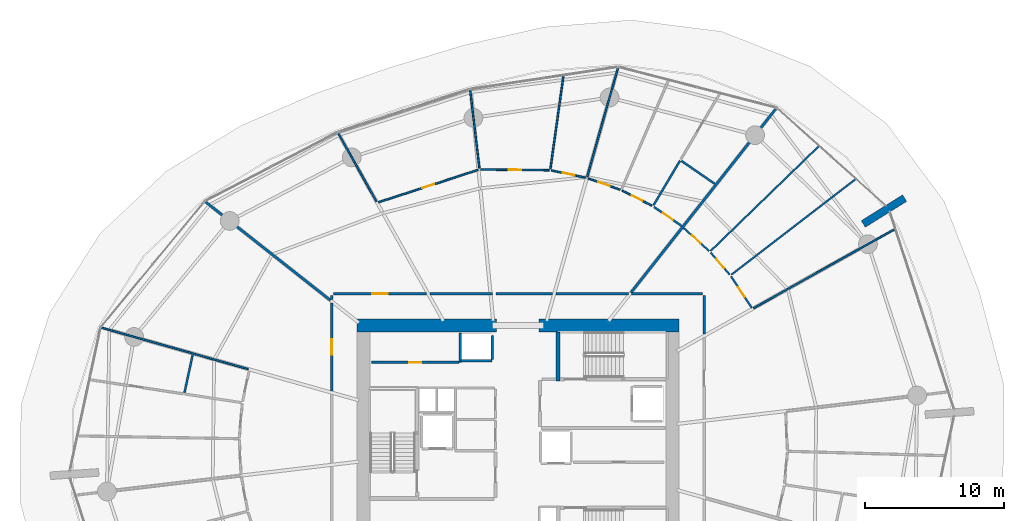
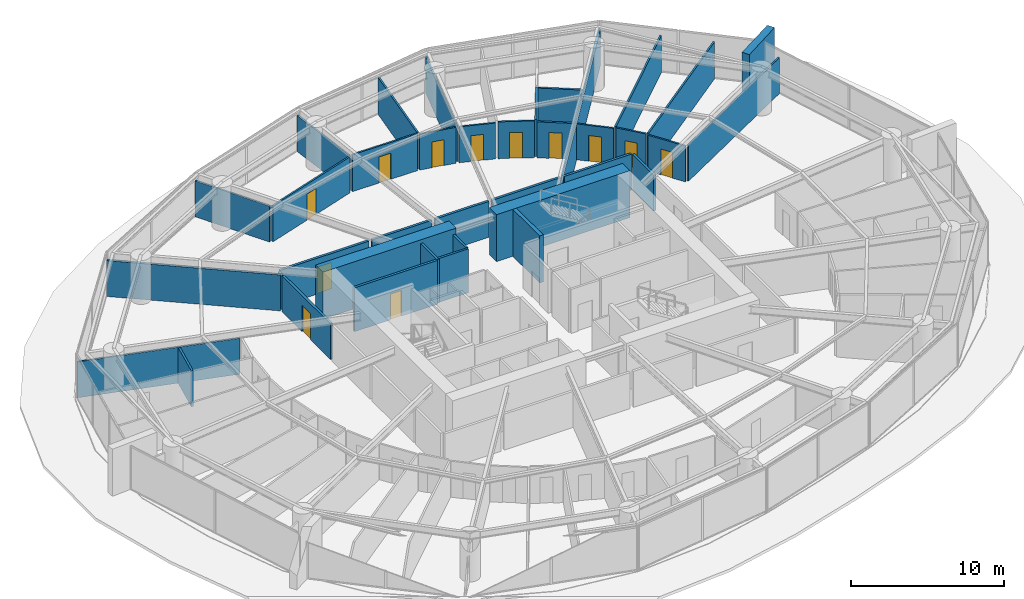
# One storey, part 20 of 22: 38 walls, 12 doors, 12 openings.
"""IFC4 building model written with IfcOpenShell, lengths in metres."""

from ifc_helpers import new_model, si_unit, direction, frame, frame_2d, origin, place, context, subcontext, project, spatial, rectangle, extrude, material, layer, layer_set, type_object, element, fill, save


model = new_model("IFC4")

# Units and contexts
model_context = context("Model", 3, precision=1e-05, world=origin(), true_north=direction((0.0, 1.0)))
body_context = subcontext(model_context, "Body", "Model", "MODEL_VIEW")
ifc_project = project(units=[si_unit("LENGTHUNIT", "METRE"), si_unit("AREAUNIT", "SQUARE_METRE"), si_unit("VOLUMEUNIT", "CUBIC_METRE"), si_unit("PLANEANGLEUNIT", "RADIAN"), si_unit("MASSUNIT", "GRAM", prefix="KILO")], contexts=[model_context])

# Site, building, storey
site_placement = place(None, origin())
site = spatial("IfcSite", under=ifc_project, at=site_placement, CompositionType="ELEMENT")
building_placement = place(site_placement, origin())
building = spatial("IfcBuilding", under=site, at=building_placement, Name="Kazma Halo Residences", CompositionType="ELEMENT")
storey_placement = place(building_placement, frame((0.0, 0.0, 26.39990234375)))
storey = spatial("IfcBuildingStorey", under=building, at=storey_placement, Name="L05", CompositionType="ELEMENT", Elevation=26.39990234375)

# Walls
ifc_material_1 = material(Name="Pale Concrete C60/75", Category="concrete")
ifc_layer_1 = layer(ifc_material_1, 0.550048828125)
ifc_layer_set_1 = layer_set([ifc_layer_1], Name="Pale Concrete C60/75")
wall_type_1 = type_object("IfcWallType", Name="WL-BLADE-550", PredefinedType="SOLIDWALL", material=ifc_layer_set_1)
wall_1_placement = place(storey_placement, frame((73.229736328125, 57.765380859375, 0.0), z_axis=(0.0, 0.0, 1.0), x_axis=(0.848053161125, 0.529911158502, 0.0)))
element("IfcWall", 1, at=wall_1_placement, inside=storey, type_object=wall_type_1, Name="L05 pale concrete structural blade fin wall BW-01", PredefinedType="SOLIDWALL", context=body_context, shape_type="SweptSolid", body=[
    extrude(rectangle(XDim=3.5, YDim=0.550048828125, at=frame_2d((1.75, 0.0))), origin(), (0.0, 0.0, 1.0), 3.75),
])
ifc_material_2 = material(Name="Concrete C80/95", Category="concrete")
ifc_layer_2 = layer(ifc_material_2, 0.949951171875)
ifc_layer_set_2 = layer_set([ifc_layer_2], Name="Concrete C80/95")
wall_type_2 = type_object("IfcWallType", Name="WL-CORE-950", PredefinedType="SHEAR", material=ifc_layer_set_2)
wall_2_placement = place(storey_placement, frame((36.85009765625, 50.47509765625, 0.0), z_axis=(0.0, 0.0, 1.0), x_axis=(1.0, 0.0, 0.0)))
element("IfcWall", 2, at=wall_2_placement, inside=storey, type_object=wall_type_2, Name="L05 central core shear wall NW", PredefinedType="SHEAR", context=body_context, shape_type="SweptSolid", body=[
    extrude(rectangle(XDim=10.0498046875, YDim=0.949951171875, at=frame_2d((5.02490234375, 0.0))), origin(), (0.0, 0.0, 1.0), 3.75),
])
wall_3_placement = place(storey_placement, frame((49.949951171875, 50.47509765625, 0.0), z_axis=(0.0, 0.0, 1.0), x_axis=(1.0, 0.0, 0.0)))
element("IfcWall", 3, at=wall_3_placement, inside=storey, type_object=wall_type_2, Name="L05 central core shear wall NE", PredefinedType="SHEAR", context=body_context, shape_type="SweptSolid", body=[
    extrude(rectangle(XDim=10.050048828125, YDim=0.949951171875, at=frame_2d((5.02490234375, 0.0))), origin(), (0.0, 0.0, 1.0), 3.75),
])
ifc_material_3 = material(Name="Concrete C60/75", Category="concrete")
ifc_layer_3 = layer(ifc_material_3, 0.280029296875)
ifc_layer_set_3 = layer_set([ifc_layer_3], Name="Concrete C60/75")
wall_type_3 = type_object("IfcWallType", Name="WL-CORE-ST-280", PredefinedType="SHEAR", material=ifc_layer_set_3)
wall_4_placement = place(storey_placement, frame((51.31005859375, 46.5, 0.0), z_axis=(0.0, 0.0, 1.0), x_axis=(0.0, 1.0, 0.0)))
element("IfcWall", 4, at=wall_4_placement, inside=storey, type_object=wall_type_3, Name="L05 stairwell bearing wall ST02-W", PredefinedType="SHEAR", context=body_context, shape_type="SweptSolid", body=[
    extrude(rectangle(XDim=3.5, YDim=0.280029296875, at=frame_2d((1.75, 0.0))), origin(), (0.0, 0.0, 1.0), 3.75),
])
ifc_material_4 = material(Name="Acoustic Twin-Stud Gypsum")
ifc_layer_4 = layer(ifc_material_4, 0.179931640625)
ifc_layer_set_4 = layer_set([ifc_layer_4], Name="Acoustic Twin-Stud Gypsum")
wall_type_4 = type_object("IfcWallType", Name="WL-DEM-180", PredefinedType="PARTITIONING", material=ifc_layer_set_4)
wall_5_placement = place(storey_placement, frame((56.542724609375, 52.83642578125, 0.0), z_axis=(0.0, 0.0, 1.0), x_axis=(0.619091569947, 0.785318806614, 0.0)))
element("IfcWall", 5, at=wall_5_placement, inside=storey, type_object=wall_type_4, Name="L05 apartment demising radial wall 01", PredefinedType="PARTITIONING", context=body_context, shape_type="SweptSolid", body=[
    extrude(rectangle(XDim=16.87548828125, YDim=0.179931640625, at=frame_2d((8.437744140625, 0.0))), origin(), (0.0, 0.0, 1.0), 2.8671875),
])
wall_6_placement = place(storey_placement, frame((34.963623046875, 52.277099609375, 0.0), z_axis=(0.0, 0.0, 1.0), x_axis=(-0.785321098315, 0.619088662908, 0.0)))
element("IfcWall", 6, at=wall_6_placement, inside=storey, type_object=wall_type_4, Name="L05 apartment demising radial wall 05", PredefinedType="PARTITIONING", context=body_context, shape_type="SweptSolid", body=[
    extrude(rectangle(XDim=11.4716796875, YDim=0.179931640625, at=frame_2d((5.73583984375, 0.0))), origin(), (0.0, 0.0, 1.0), 2.8671875),
])

# Wall, opening, door
wall_7_placement = place(storey_placement, frame((41.859619140625, 52.75, 0.0), z_axis=(0.0, 0.0, 1.0), x_axis=(-1.0, 0.0, 0.0)))
wall_7 = element("IfcWall", 7, at=wall_7_placement, inside=storey, type_object=wall_type_4, Name="L05 Apartment 1 entrance corridor wall", PredefinedType="PARTITIONING", context=body_context, shape_type="SweptSolid", body=[
    extrude(rectangle(XDim=6.689697265625, YDim=0.179931640625, at=frame_2d((3.3447265625, 0.0))), origin(), (0.0, 0.0, 1.0), 2.8671875),
])
opening_1_placement = place(wall_7_placement, frame((2.794921875, 0.0, 0.0)))
opening_1 = element("IfcOpeningElement", 8, at=opening_1_placement, cuts=wall_7, Name="Opening DA-1100", PredefinedType="OPENING", context=body_context, shape_type="SweptSolid", body=[
    extrude(rectangle(XDim=1.10009765625, YDim=2.10009765625, at=frame_2d((0.550048828125, 1.050048828125))), frame((0.0, 0.099853515625, 0.0), z_axis=(0.0, -1.0, 0.0), x_axis=(1.0, 0.0, 0.0)), (0.0, 0.0, 1.0), 0.199951171875),
])
ifc_material_5 = material(Name="Acoustic Walnut Fire Leaf")
door_type_1 = type_object("IfcDoorType", Name="DR-FD60-1100", OperationType="NOTDEFINED", PredefinedType="DOOR", material=ifc_material_5)
door_1_placement = place(opening_1_placement, origin())
door_1 = element("IfcDoor", 9, at=door_1_placement, inside=storey, type_object=door_type_1, Name="L05 Apartment 1 entrance fire door", OperationType="SINGLE_SWING_LEFT", OverallHeight=2.10009765625, OverallWidth=1.10009765625, PredefinedType="DOOR", context=body_context, shape_type="SweptSolid", body=[
    extrude(rectangle(XDim=1.10009765625, YDim=2.10009765625, at=frame_2d((0.550048828125, 1.050048828125))), frame((0.0, 0.02490234375, 0.0), z_axis=(0.0, -1.0, 0.0), x_axis=(1.0, 0.0, 0.0)), (0.0, 0.0, 1.0), 0.050048828125),
])
fill(opening_1, door_1)

# Walls
wall_8_placement = place(storey_placement, frame((35.050048828125, 52.6298828125, 0.0), z_axis=(0.0, 0.0, 1.0), x_axis=(0.0, -1.0, 0.0)))
element("IfcWall", 10, at=wall_8_placement, inside=storey, type_object=wall_type_4, Name="L05 Apartment 1 entrance corridor wall", PredefinedType="PARTITIONING", context=body_context, shape_type="SweptSolid", body=[
    extrude(rectangle(XDim=0.30078125, YDim=0.179931640625, at=frame_2d((0.150390625, 0.0))), origin(), (0.0, 0.0, 1.0), 2.8671875),
])
wall_9_placement = place(storey_placement, frame((56.3544921875, 52.75, 0.0), z_axis=(0.0, 0.0, 1.0), x_axis=(-1.0, 0.0, 0.0)))
element("IfcWall", 11, at=wall_9_placement, inside=storey, type_object=wall_type_4, Name="L05 Apartment 1 inner wall 1", PredefinedType="PARTITIONING", context=body_context, shape_type="SweptSolid", body=[
    extrude(rectangle(XDim=5.20263671875, YDim=0.179931640625, at=frame_2d((2.601318359375, 0.0))), origin(), (0.0, 0.0, 1.0), 2.8671875),
])
wall_10_placement = place(storey_placement, frame((50.911865234375, 52.75, 0.0), z_axis=(0.0, 0.0, 1.0), x_axis=(-1.0, 0.0, 0.0)))
element("IfcWall", 12, at=wall_10_placement, inside=storey, type_object=wall_type_4, Name="L05 Apartment 1 inner wall 2", PredefinedType="PARTITIONING", context=body_context, shape_type="SweptSolid", body=[
    extrude(rectangle(XDim=4.064208984375, YDim=0.179931640625, at=frame_2d((2.0322265625, 0.0))), origin(), (0.0, 0.0, 1.0), 2.8671875),
])
wall_11_placement = place(storey_placement, frame((46.607666015625, 52.75, 0.0), z_axis=(0.0, 0.0, 1.0), x_axis=(-1.0, 0.0, 0.0)))
element("IfcWall", 13, at=wall_11_placement, inside=storey, type_object=wall_type_4, Name="L05 Apartment 1 inner wall 3", PredefinedType="PARTITIONING", context=body_context, shape_type="SweptSolid", body=[
    extrude(rectangle(XDim=4.508056640625, YDim=0.179931640625, at=frame_2d((2.25390625, 0.0))), origin(), (0.0, 0.0, 1.0), 2.8671875),
])

# Wall, opening, door
wall_12_placement = place(storey_placement, frame((35.050048828125, 52.089111328125, 0.0), z_axis=(0.0, 0.0, 1.0), x_axis=(0.0, -1.0, 0.0)))
wall_12 = element("IfcWall", 14, at=wall_12_placement, inside=storey, type_object=wall_type_4, Name="L05 Apartment 2 entrance corridor wall", PredefinedType="PARTITIONING", context=body_context, shape_type="SweptSolid", body=[
    extrude(rectangle(XDim=6.31689453125, YDim=0.179931640625, at=frame_2d((3.158447265625, 0.0))), origin(), (0.0, 0.0, 1.0), 2.8671875),
])
opening_2_placement = place(wall_12_placement, frame((2.6083984375, 0.0, 0.0)))
opening_2 = element("IfcOpeningElement", 15, at=opening_2_placement, cuts=wall_12, Name="Opening DA-1100", PredefinedType="OPENING", context=body_context, shape_type="SweptSolid", body=[
    extrude(rectangle(XDim=1.10009765625, YDim=2.10009765625, at=frame_2d((0.550048828125, 1.050048828125))), frame((0.0, 0.099853515625, 0.0), z_axis=(0.0, -1.0, 0.0), x_axis=(1.0, 0.0, 0.0)), (0.0, 0.0, 1.0), 0.199951171875),
])
door_2_placement = place(opening_2_placement, origin())
door_2 = element("IfcDoor", 16, at=door_2_placement, inside=storey, type_object=door_type_1, Name="L05 Apartment 2 entrance fire door", OperationType="SINGLE_SWING_RIGHT", OverallHeight=2.10009765625, OverallWidth=1.10009765625, PredefinedType="DOOR", context=body_context, shape_type="SweptSolid", body=[
    extrude(rectangle(XDim=1.10009765625, YDim=2.10009765625, at=frame_2d((0.550048828125, 1.050048828125))), frame((0.0, 0.02490234375, 0.0), z_axis=(0.0, -1.0, 0.0), x_axis=(1.0, 0.0, 0.0)), (0.0, 0.0, 1.0), 0.050048828125),
])
fill(opening_2, door_2)

# Walls
wall_13_placement = place(storey_placement, frame((61.800048828125, 49.848388671875, 0.0), z_axis=(0.0, 0.0, 1.0), x_axis=(0.0, 1.0, 0.0)))
element("IfcWall", 17, at=wall_13_placement, inside=storey, type_object=wall_type_4, Name="L05 Apartment 4 inner wall 0", PredefinedType="PARTITIONING", context=body_context, shape_type="SweptSolid", body=[
    extrude(rectangle(XDim=2.781494140625, YDim=0.179931640625, at=frame_2d((1.390625, 0.0))), origin(), (0.0, 0.0, 1.0), 2.8671875),
])
wall_14_placement = place(storey_placement, frame((61.679931640625, 52.75, 0.0), z_axis=(0.0, 0.0, 1.0), x_axis=(-1.0, 0.0, 0.0)))
element("IfcWall", 18, at=wall_14_placement, inside=storey, type_object=wall_type_4, Name="L05 Apartment 4 inner wall 0", PredefinedType="PARTITIONING", context=body_context, shape_type="SweptSolid", body=[
    extrude(rectangle(XDim=5.08544921875, YDim=0.179931640625, at=frame_2d((2.542724609375, 0.0))), origin(), (0.0, 0.0, 1.0), 2.8671875),
])
ifc_material_6 = material(Name="Fire-Rated Blockwork Masonry", Category="masonry")
ifc_layer_5 = layer(ifc_material_6, 0.199951171875)
ifc_layer_set_5 = layer_set([ifc_layer_5], Name="Fire-Rated Blockwork Masonry")
wall_type_5 = type_object("IfcWallType", Name="WL-FLB-200", PredefinedType="PARTITIONING", material=ifc_layer_set_5)
wall_15_placement = place(storey_placement, frame((46.580078125, 47.945068359375, 0.0), z_axis=(0.0, 0.0, 1.0), x_axis=(-1.0, 0.0, 0.0)))
element("IfcWall", 19, at=wall_15_placement, inside=storey, type_object=wall_type_5, Name="L05 lift shaft PX-01 front wall", PredefinedType="PARTITIONING", context=body_context, shape_type="SweptSolid", body=[
    extrude(rectangle(XDim=2.260009765625, YDim=0.159912109375, at=frame_2d((1.1298828125, 0.0))), origin(), (0.0, 0.0, 1.0), 3.5),
])
wall_16_placement = place(storey_placement, frame((46.580078125, 48.044921875, 0.0), z_axis=(0.0, 0.0, 1.0), x_axis=(0.0, 1.0, 0.0)))
element("IfcWall", 20, at=wall_16_placement, inside=storey, type_object=wall_type_5, Name="L05 lift shaft PX-01 side wall E", PredefinedType="PARTITIONING", context=body_context, shape_type="SweptSolid", body=[
    extrude(rectangle(XDim=1.7099609375, YDim=0.159912109375, at=frame_2d((0.85498046875, 0.0))), origin(), (0.0, 0.0, 1.0), 3.5),
])

# Wall, opening, door
wall_17_placement = place(storey_placement, frame((37.919921875, 47.820068359375, 0.0), z_axis=(0.0, 0.0, 1.0), x_axis=(1.0, 0.0, 0.0)))
wall_17 = element("IfcWall", 21, at=wall_17_placement, inside=storey, type_object=wall_type_5, Name="L05 core north reserve wall", PredefinedType="PARTITIONING", context=body_context, shape_type="SweptSolid", body=[
    extrude(rectangle(XDim=6.260009765625, YDim=0.179931640625, at=frame_2d((3.1298828125, 0.0))), origin(), (0.0, 0.0, 1.0), 3.5),
])
opening_3_placement = place(wall_17_placement, frame((2.705078125, 0.0, 0.0)))
opening_3 = element("IfcOpeningElement", 22, at=opening_3_placement, cuts=wall_17, Name="Opening DS-850", PredefinedType="OPENING", context=body_context, shape_type="SweptSolid", body=[
    extrude(rectangle(XDim=0.85009765625, YDim=2.06005859375, at=frame_2d((0.425048828125, 1.030029296875))), frame((0.0, 0.099853515625, 0.0), z_axis=(0.0, -1.0, 0.0), x_axis=(1.0, 0.0, 0.0)), (0.0, 0.0, 1.0), 0.199951171875),
])
ifc_material_7 = material(Name="Painted Steel Access Leaf", Category="steel")
door_type_2 = type_object("IfcDoorType", Name="DR-SVC-850", OperationType="NOTDEFINED", PredefinedType="DOOR", material=ifc_material_7)
door_3_placement = place(opening_3_placement, origin())
door_3 = element("IfcDoor", 23, at=door_3_placement, inside=storey, type_object=door_type_2, Name="L05 core north reserve door", OperationType="SINGLE_SWING_LEFT", OverallHeight=2.06005859375, OverallWidth=0.85009765625, PredefinedType="DOOR", context=body_context, shape_type="SweptSolid", body=[
    extrude(rectangle(XDim=0.85009765625, YDim=2.06005859375, at=frame_2d((0.425048828125, 1.030029296875))), frame((0.0, 0.02490234375, 0.0), z_axis=(0.0, -1.0, 0.0), x_axis=(1.0, 0.0, 0.0)), (0.0, 0.0, 1.0), 0.050048828125),
])
fill(opening_3, door_3)

# Wall
wall_18_placement = place(storey_placement, frame((44.280029296875, 47.820068359375, 0.0), z_axis=(0.0, 0.0, 1.0), x_axis=(0.0, 1.0, 0.0)))
element("IfcWall", 24, at=wall_18_placement, inside=storey, type_object=wall_type_5, Name="L05 PX-01 hoistway west wall", PredefinedType="PARTITIONING", context=body_context, shape_type="SweptSolid", body=[
    extrude(rectangle(XDim=2.1298828125, YDim=0.179931640625, at=frame_2d((1.06494140625, 0.0))), origin(), (0.0, 0.0, 1.0), 3.5),
])

# Wall, opening, door
ifc_material_8 = material(Name="Gypsum Plasterboard Partition")
ifc_layer_6 = layer(ifc_material_8, 0.125)
ifc_layer_set_6 = layer_set([ifc_layer_6], Name="Gypsum Plasterboard Partition")
wall_type_6 = type_object("IfcWallType", Name="WL-PART-125", PredefinedType="PARTITIONING", material=ifc_layer_set_6)
wall_19_placement = place(storey_placement, frame((58.04248046875, 59.0810546875, 0.0), z_axis=(0.0, 0.0, 1.0), x_axis=(-0.890948282324, 0.454104787712, 0.0)))
wall_19 = element("IfcWall", 25, at=wall_19_placement, inside=storey, type_object=wall_type_6, Name="L05 Apartment 1 Gourmet Kitchen hall wall", PredefinedType="PARTITIONING", context=body_context, shape_type="SweptSolid", body=[
    extrude(rectangle(XDim=2.390380859375, YDim=0.125, at=frame_2d((1.1953125, 0.0))), origin(), (0.0, 0.0, 1.0), 2.940185546875),
])
opening_4_placement = place(wall_19_placement, frame((0.77001953125, 0.0, 0.0)))
opening_4 = element("IfcOpeningElement", 26, at=opening_4_placement, cuts=wall_19, Name="Opening DB-900", PredefinedType="OPENING", context=body_context, shape_type="SweptSolid", body=[
    extrude(rectangle(XDim=0.85009765625, YDim=2.06005859375, at=frame_2d((0.425048828125, 1.030029296875))), frame((0.0, 0.072509765625, 0.0), z_axis=(0.0, -1.0, 0.0), x_axis=(1.0, 0.0, 0.0)), (0.0, 0.0, 1.0), 0.14501953125),
])
ifc_material_9 = material(Name="Moisture-Sealed Timber Leaf", Category="wood")
door_type_3 = type_object("IfcDoorType", Name="DR-BTH-900", OperationType="NOTDEFINED", PredefinedType="DOOR", material=ifc_material_9)
door_4_placement = place(opening_4_placement, origin())
door_4 = element("IfcDoor", 27, at=door_4_placement, inside=storey, type_object=door_type_3, Name="L05 Apartment 1 Gourmet Kitchen door", OperationType="SINGLE_SWING_LEFT", OverallHeight=2.06005859375, OverallWidth=0.85009765625, PredefinedType="DOOR", context=body_context, shape_type="SweptSolid", body=[
    extrude(rectangle(XDim=0.85009765625, YDim=2.06005859375, at=frame_2d((0.425048828125, 1.030029296875))), frame((0.0, 0.02490234375, 0.0), z_axis=(0.0, -1.0, 0.0), x_axis=(1.0, 0.0, 0.0)), (0.0, 0.0, 1.0), 0.050048828125),
])
fill(opening_4, door_4)

wall_20_placement = place(storey_placement, frame((55.76611328125, 60.2294921875, 0.0), z_axis=(0.0, 0.0, 1.0), x_axis=(-0.942466522186, 0.334300545258, 0.0)))
wall_20 = element("IfcWall", 28, at=wall_20_placement, inside=storey, type_object=wall_type_6, Name="L05 Apartment 1 Primary Bedroom hall wall", PredefinedType="PARTITIONING", context=body_context, shape_type="SweptSolid", body=[
    extrude(rectangle(XDim=2.431884765625, YDim=0.125, at=frame_2d((1.2158203125, 0.0))), origin(), (0.0, 0.0, 1.0), 2.8671875),
])
opening_5_placement = place(wall_20_placement, frame((0.791015625, 0.0, 0.0)))
opening_5 = element("IfcOpeningElement", 29, at=opening_5_placement, cuts=wall_20, Name="Opening DB-900", PredefinedType="OPENING", context=body_context, shape_type="SweptSolid", body=[
    extrude(rectangle(XDim=0.85009765625, YDim=2.06005859375, at=frame_2d((0.425048828125, 1.030029296875))), frame((0.0, 0.072509765625, 0.0), z_axis=(0.0, -1.0, 0.0), x_axis=(1.0, 0.0, 0.0)), (0.0, 0.0, 1.0), 0.14501953125),
])
door_5_placement = place(opening_5_placement, origin())
door_5 = element("IfcDoor", 30, at=door_5_placement, inside=storey, type_object=door_type_3, Name="L05 Apartment 1 Primary Bedroom door", OperationType="SINGLE_SWING_RIGHT", OverallHeight=2.06005859375, OverallWidth=0.85009765625, PredefinedType="DOOR", context=body_context, shape_type="SweptSolid", body=[
    extrude(rectangle(XDim=0.85009765625, YDim=2.06005859375, at=frame_2d((0.425048828125, 1.030029296875))), frame((0.0, 0.02490234375, 0.0), z_axis=(0.0, -1.0, 0.0), x_axis=(1.0, 0.0, 0.0)), (0.0, 0.0, 1.0), 0.050048828125),
])
fill(opening_5, door_5)

# Walls
wall_21_placement = place(storey_placement, frame((53.406982421875, 61.172119140625, 0.0), z_axis=(0.0, 0.0, 1.0), x_axis=(0.271452340491, 0.962451882871, 0.0)))
element("IfcWall", 31, at=wall_21_placement, inside=storey, type_object=wall_type_6, Name="L05 Apartment 1 radial partition 2", PredefinedType="PARTITIONING", context=body_context, shape_type="SweptSolid", body=[
    extrude(rectangle(XDim=8.152099609375, YDim=0.125, at=frame_2d((4.076171875, 0.0))), origin(), (0.0, 0.0, 1.0), 2.8671875),
])
wall_22_placement = place(storey_placement, frame((50.7587890625, 61.718017578125, 0.0), z_axis=(0.0, 0.0, 1.0), x_axis=(0.138600482332, 0.990348376228, 0.0)))
element("IfcWall", 32, at=wall_22_placement, inside=storey, type_object=wall_type_6, Name="L05 Apartment 1 mid-bay wall 2", PredefinedType="PARTITIONING", context=body_context, shape_type="SweptSolid", body=[
    extrude(rectangle(XDim=6.774658203125, YDim=0.125, at=frame_2d((3.38720703125, 0.0))), origin(), (0.0, 0.0, 1.0), 2.940185546875),
])

# Wall, opening, door
wall_23_placement = place(storey_placement, frame((53.281982421875, 61.096435546875, 0.0), z_axis=(0.0, 0.0, 1.0), x_axis=(-0.978666206656, 0.205456700911, 0.0)))
wall_23 = element("IfcWall", 33, at=wall_23_placement, inside=storey, type_object=wall_type_6, Name="L05 Apartment 1 Primary Dressing Wardrobe hall wall", PredefinedType="PARTITIONING", context=body_context, shape_type="SweptSolid", body=[
    extrude(rectangle(XDim=2.5107421875, YDim=0.125, at=frame_2d((1.25537109375, 0.0))), origin(), (0.0, 0.0, 1.0), 2.8671875),
])
opening_6_placement = place(wall_23_placement, frame((0.830322265625, 0.0, 0.0)))
opening_6 = element("IfcOpeningElement", 34, at=opening_6_placement, cuts=wall_23, Name="Opening DB-900", PredefinedType="OPENING", context=body_context, shape_type="SweptSolid", body=[
    extrude(rectangle(XDim=0.85009765625, YDim=2.06005859375, at=frame_2d((0.425048828125, 1.030029296875))), frame((0.0, 0.072509765625, 0.0), z_axis=(0.0, -1.0, 0.0), x_axis=(1.0, 0.0, 0.0)), (0.0, 0.0, 1.0), 0.14501953125),
])
door_6_placement = place(opening_6_placement, origin())
door_6 = element("IfcDoor", 35, at=door_6_placement, inside=storey, type_object=door_type_3, Name="L05 Apartment 1 Primary Dressing Wardrobe door", OperationType="SINGLE_SWING_RIGHT", OverallHeight=2.06005859375, OverallWidth=0.85009765625, PredefinedType="DOOR", context=body_context, shape_type="SweptSolid", body=[
    extrude(rectangle(XDim=0.85009765625, YDim=2.06005859375, at=frame_2d((0.425048828125, 1.030029296875))), frame((0.0, 0.02490234375, 0.0), z_axis=(0.0, -1.0, 0.0), x_axis=(1.0, 0.0, 0.0)), (0.0, 0.0, 1.0), 0.050048828125),
])
fill(opening_6, door_6)

wall_24_placement = place(storey_placement, frame((50.66650390625, 61.629638671875, 0.0), z_axis=(0.0, 0.0, 1.0), x_axis=(-0.999944126831, 0.010570866405, 0.0)))
wall_24 = element("IfcWall", 36, at=wall_24_placement, inside=storey, type_object=wall_type_6, Name="L05 Apartment 1 Secondary Master Bedroom hall wall", PredefinedType="PARTITIONING", context=body_context, shape_type="SweptSolid", body=[
    extrude(rectangle(XDim=4.896240234375, YDim=0.125, at=frame_2d((2.4482421875, 0.0))), origin(), (0.0, 0.0, 1.0), 2.940185546875),
])
opening_7_placement = place(wall_24_placement, frame((1.998046875, 0.0, 0.0)))
opening_7 = element("IfcOpeningElement", 37, at=opening_7_placement, cuts=wall_24, Name="Opening DI-950", PredefinedType="OPENING", context=body_context, shape_type="SweptSolid", body=[
    extrude(rectangle(XDim=0.89990234375, YDim=2.080078125, at=frame_2d((0.449951171875, 1.0400390625))), frame((0.0, 0.072509765625, 0.0), z_axis=(0.0, -1.0, 0.0), x_axis=(1.0, 0.0, 0.0)), (0.0, 0.0, 1.0), 0.14501953125),
])
ifc_material_10 = material(Name="Timber Veneer Flush Leaf", Category="wood")
door_type_4 = type_object("IfcDoorType", Name="DR-INT-950", OperationType="NOTDEFINED", PredefinedType="DOOR", material=ifc_material_10)
door_7_placement = place(opening_7_placement, origin())
door_7 = element("IfcDoor", 38, at=door_7_placement, inside=storey, type_object=door_type_4, Name="L05 Apartment 1 Secondary Master Bedroom door", OperationType="SINGLE_SWING_LEFT", OverallHeight=2.080078125, OverallWidth=0.89990234375, PredefinedType="DOOR", context=body_context, shape_type="SweptSolid", body=[
    extrude(rectangle(XDim=0.89990234375, YDim=2.080078125, at=frame_2d((0.449951171875, 1.0400390625))), frame((0.0, 0.02490234375, 0.0), z_axis=(0.0, -1.0, 0.0), x_axis=(1.0, 0.0, 0.0)), (0.0, 0.0, 1.0), 0.050048828125),
])
fill(opening_7, door_7)

# Walls
for number, where, z_axis, x_axis, name in (
    (39, (45.65869140625, 61.781982421875, 0.0), (0.0, 0.0, 1.0), (-0.117520082425, 0.993070506171, 0.0), "L05 Apartment 1 radial partition 3"),
    (40, (38.2666015625, 59.380126953125, 0.0), (0.0, 0.0, 1.0), (-0.488620397155, 0.872496479927, 0.0), "L05 Apartment 1 living radial partition 3"),
):
    element("IfcWall", number, at=place(storey_placement, frame(where, z_axis=z_axis, x_axis=x_axis)), inside=storey, type_object=wall_type_6, Name=name, PredefinedType="PARTITIONING", context=body_context, shape_type="SweptSolid", body=[
        extrude(rectangle(XDim=5.675537109375, YDim=0.125, at=frame_2d((2.837890625, 0.0))), origin(), (0.0, 0.0, 1.0), 2.8671875),
    ])

# Wall, opening, door
wall_25_placement = place(storey_placement, frame((45.56591796875, 61.648681640625, 0.0), z_axis=(0.0, 0.0, 1.0), x_axis=(-0.951057228592, -0.309014802142, 0.0)))
wall_25 = element("IfcWall", 41, at=wall_25_placement, inside=storey, type_object=wall_type_6, Name="L05 Apartment 1 East Formal Dining Room gallery wall", PredefinedType="PARTITIONING", context=body_context, shape_type="SweptSolid", body=[
    extrude(rectangle(XDim=7.513427734375, YDim=0.125, at=frame_2d((3.7568359375, 0.0))), origin(), (0.0, 0.0, 1.0), 2.8671875),
])
opening_8_placement = place(wall_25_placement, frame((3.306640625, 0.0, 0.0)))
opening_8 = element("IfcOpeningElement", 42, at=opening_8_placement, cuts=wall_25, Name="Opening DI-950", PredefinedType="OPENING", context=body_context, shape_type="SweptSolid", body=[
    extrude(rectangle(XDim=0.89990234375, YDim=2.080078125, at=frame_2d((0.449951171875, 1.0400390625))), frame((0.0, 0.072509765625, 0.0), z_axis=(0.0, -1.0, 0.0), x_axis=(1.0, 0.0, 0.0)), (0.0, 0.0, 1.0), 0.14501953125),
])
door_8_placement = place(opening_8_placement, origin())
door_8 = element("IfcDoor", 43, at=door_8_placement, inside=storey, type_object=door_type_4, Name="L05 Apartment 1 East Formal Dining Room door", OperationType="SINGLE_SWING_LEFT", OverallHeight=2.080078125, OverallWidth=0.89990234375, PredefinedType="DOOR", context=body_context, shape_type="SweptSolid", body=[
    extrude(rectangle(XDim=0.89990234375, YDim=2.080078125, at=frame_2d((0.449951171875, 1.0400390625))), frame((0.0, 0.02490234375, 0.0), z_axis=(0.0, -1.0, 0.0), x_axis=(1.0, 0.0, 0.0)), (0.0, 0.0, 1.0), 0.050048828125),
])
fill(opening_8, door_8)

# Walls
wall_26_placement = place(storey_placement, frame((29.04931640625, 47.344482421875, 0.0), z_axis=(0.0, 0.0, 1.0), x_axis=(-0.962453547169, 0.271446439544, 0.0)))
element("IfcWall", 44, at=wall_26_placement, inside=storey, type_object=wall_type_6, Name="L05 Apartment 2 radial partition 6", PredefinedType="PARTITIONING", context=body_context, shape_type="SweptSolid", body=[
    extrude(rectangle(XDim=10.984375, YDim=0.125, at=frame_2d((5.4921875, 0.0))), origin(), (0.0, 0.0, 1.0), 2.8671875),
])
wall_27_placement = place(storey_placement, frame((65.3564453125, 51.72021484375, 0.0), z_axis=(0.0, 0.0, 1.0), x_axis=(0.872502798549, 0.488609114246, 0.0)))
element("IfcWall", 45, at=wall_27_placement, inside=storey, type_object=wall_type_6, Name="L05 Apartment 4 radial partition 0", PredefinedType="PARTITIONING", context=body_context, shape_type="SweptSolid", body=[
    extrude(rectangle(XDim=11.645751953125, YDim=0.125, at=frame_2d((5.82275390625, 0.0))), origin(), (0.0, 0.0, 1.0), 2.8671875),
])
wall_28_placement = place(storey_placement, frame((63.75830078125, 54.124755859375, 0.0), z_axis=(0.0, 0.0, 1.0), x_axis=(0.792564305335, 0.609788341893, 0.0)))
element("IfcWall", 46, at=wall_28_placement, inside=storey, type_object=wall_type_6, Name="L05 Apartment 4 bay wall 1 0", PredefinedType="PARTITIONING", context=body_context, shape_type="SweptSolid", body=[
    extrude(rectangle(XDim=11.253662109375, YDim=0.125, at=frame_2d((5.626953125, 0.0))), origin(), (0.0, 0.0, 1.0), 2.940185546875),
])
wall_29_placement = place(storey_placement, frame((62.278564453125, 55.8369140625, 0.0), z_axis=(0.0, 0.0, 1.0), x_axis=(0.718126223804, 0.695912872912, 0.0)))
element("IfcWall", 47, at=wall_29_placement, inside=storey, type_object=wall_type_6, Name="L05 Apartment 4 bay wall 2 0", PredefinedType="PARTITIONING", context=body_context, shape_type="SweptSolid", body=[
    extrude(rectangle(XDim=10.803955078125, YDim=0.125, at=frame_2d((5.40185546875, 0.0))), origin(), (0.0, 0.0, 1.0), 2.940185546875),
])

# Wall, opening, door
wall_30_placement = place(storey_placement, frame((65.22509765625, 51.738037109375, 0.0), z_axis=(0.0, 0.0, 1.0), x_axis=(-0.550602750552, 0.83476739939, 0.0)))
wall_30 = element("IfcWall", 48, at=wall_30_placement, inside=storey, type_object=wall_type_6, Name="L05 Apartment 4 East Master Bedroom hall wall", PredefinedType="PARTITIONING", context=body_context, shape_type="SweptSolid", body=[
    extrude(rectangle(XDim=2.713134765625, YDim=0.125, at=frame_2d((1.3564453125, 0.0))), origin(), (0.0, 0.0, 1.0), 2.8671875),
])
opening_9_placement = place(wall_30_placement, frame((0.931640625, 0.0, 0.0)))
opening_9 = element("IfcOpeningElement", 49, at=opening_9_placement, cuts=wall_30, Name="Opening DB-900", PredefinedType="OPENING", context=body_context, shape_type="SweptSolid", body=[
    extrude(rectangle(XDim=0.85009765625, YDim=2.06005859375, at=frame_2d((0.425048828125, 1.030029296875))), frame((0.0, 0.072509765625, 0.0), z_axis=(0.0, -1.0, 0.0), x_axis=(1.0, 0.0, 0.0)), (0.0, 0.0, 1.0), 0.14501953125),
])
door_9_placement = place(opening_9_placement, origin())
door_9 = element("IfcDoor", 50, at=door_9_placement, inside=storey, type_object=door_type_3, Name="L05 Apartment 4 East Master Bedroom door", OperationType="SINGLE_SWING_LEFT", OverallHeight=2.06005859375, OverallWidth=0.85009765625, PredefinedType="DOOR", context=body_context, shape_type="SweptSolid", body=[
    extrude(rectangle(XDim=0.85009765625, YDim=2.06005859375, at=frame_2d((0.425048828125, 1.030029296875))), frame((0.0, 0.02490234375, 0.0), z_axis=(0.0, -1.0, 0.0), x_axis=(1.0, 0.0, 0.0)), (0.0, 0.0, 1.0), 0.050048828125),
])
fill(opening_9, door_9)

wall_31_placement = place(storey_placement, frame((63.634765625, 54.13037109375, 0.0), z_axis=(0.0, 0.0, 1.0), x_axis=(-0.653975151298, 0.756516028571, 0.0)))
wall_31 = element("IfcWall", 51, at=wall_31_placement, inside=storey, type_object=wall_type_6, Name="L05 Apartment 4 West Dressing Wardrobe hall wall", PredefinedType="PARTITIONING", context=body_context, shape_type="SweptSolid", body=[
    extrude(rectangle(XDim=2.0927734375, YDim=0.125, at=frame_2d((1.04638671875, 0.0))), origin(), (0.0, 0.0, 1.0), 2.940185546875),
])
opening_10_placement = place(wall_31_placement, frame((0.621337890625, 0.0, 0.0)))
opening_10 = element("IfcOpeningElement", 52, at=opening_10_placement, cuts=wall_31, Name="Opening DB-900", PredefinedType="OPENING", context=body_context, shape_type="SweptSolid", body=[
    extrude(rectangle(XDim=0.85009765625, YDim=2.06005859375, at=frame_2d((0.425048828125, 1.030029296875))), frame((0.0, 0.072509765625, 0.0), z_axis=(0.0, -1.0, 0.0), x_axis=(1.0, 0.0, 0.0)), (0.0, 0.0, 1.0), 0.14501953125),
])
door_10_placement = place(opening_10_placement, origin())
door_10 = element("IfcDoor", 53, at=door_10_placement, inside=storey, type_object=door_type_3, Name="L05 Apartment 4 West Dressing Wardrobe door", OperationType="SINGLE_SWING_RIGHT", OverallHeight=2.06005859375, OverallWidth=0.85009765625, PredefinedType="DOOR", context=body_context, shape_type="SweptSolid", body=[
    extrude(rectangle(XDim=0.85009765625, YDim=2.06005859375, at=frame_2d((0.425048828125, 1.030029296875))), frame((0.0, 0.02490234375, 0.0), z_axis=(0.0, -1.0, 0.0), x_axis=(1.0, 0.0, 0.0)), (0.0, 0.0, 1.0), 0.050048828125),
])
fill(opening_10, door_10)

wall_32_placement = place(storey_placement, frame((62.154541015625, 55.827880859375, 0.0), z_axis=(0.0, 0.0, 1.0), x_axis=(-0.742299992765, 0.670067698626, 0.0)))
wall_32 = element("IfcWall", 54, at=wall_32_placement, inside=storey, type_object=wall_type_6, Name="L05 Apartment 4 North Bedroom hall wall", PredefinedType="PARTITIONING", context=body_context, shape_type="SweptSolid", body=[
    extrude(rectangle(XDim=2.48095703125, YDim=0.125, at=frame_2d((1.240478515625, 0.0))), origin(), (0.0, 0.0, 1.0), 2.8671875),
])
opening_11_placement = place(wall_32_placement, frame((0.8154296875, 0.0, 0.0)))
opening_11 = element("IfcOpeningElement", 55, at=opening_11_placement, cuts=wall_32, Name="Opening DB-900", PredefinedType="OPENING", context=body_context, shape_type="SweptSolid", body=[
    extrude(rectangle(XDim=0.85009765625, YDim=2.06005859375, at=frame_2d((0.425048828125, 1.030029296875))), frame((0.0, 0.072509765625, 0.0), z_axis=(0.0, -1.0, 0.0), x_axis=(1.0, 0.0, 0.0)), (0.0, 0.0, 1.0), 0.14501953125),
])
door_11_placement = place(opening_11_placement, origin())
door_11 = element("IfcDoor", 56, at=door_11_placement, inside=storey, type_object=door_type_3, Name="L05 Apartment 4 North Bedroom door", OperationType="SINGLE_SWING_LEFT", OverallHeight=2.06005859375, OverallWidth=0.85009765625, PredefinedType="DOOR", context=body_context, shape_type="SweptSolid", body=[
    extrude(rectangle(XDim=0.85009765625, YDim=2.06005859375, at=frame_2d((0.425048828125, 1.030029296875))), frame((0.0, 0.02490234375, 0.0), z_axis=(0.0, -1.0, 0.0), x_axis=(1.0, 0.0, 0.0)), (0.0, 0.0, 1.0), 0.050048828125),
])
fill(opening_11, door_11)

ifc_material_11 = material(Name="Moisture-Resistant Gypsum")
ifc_layer_7 = layer(ifc_material_11, 0.14990234375)
ifc_layer_set_7 = layer_set([ifc_layer_7], Name="Moisture-Resistant Gypsum")
wall_type_7 = type_object("IfcWallType", Name="WL-WET-150", PredefinedType="PARTITIONING", material=ifc_layer_set_7)
wall_33_placement = place(storey_placement, frame((60.18798828125, 57.62158203125, 0.0), z_axis=(0.0, 0.0, 1.0), x_axis=(-0.824304321031, 0.566146965309, 0.0)))
wall_33 = element("IfcWall", 57, at=wall_33_placement, inside=storey, type_object=wall_type_7, Name="L05 Apartment 1 Guest Bathroom hall wall", PredefinedType="PARTITIONING", context=body_context, shape_type="SweptSolid", body=[
    extrude(rectangle(XDim=2.415283203125, YDim=0.14990234375, at=frame_2d((1.20751953125, 0.0))), origin(), (0.0, 0.0, 1.0), 2.8671875),
])
opening_12_placement = place(wall_33_placement, frame((0.78271484375, 0.0, 0.0)))
opening_12 = element("IfcOpeningElement", 58, at=opening_12_placement, cuts=wall_33, Name="Opening DB-900", PredefinedType="OPENING", context=body_context, shape_type="SweptSolid", body=[
    extrude(rectangle(XDim=0.85009765625, YDim=2.06005859375, at=frame_2d((0.425048828125, 1.030029296875))), frame((0.0, 0.0849609375, 0.0), z_axis=(0.0, -1.0, 0.0), x_axis=(1.0, 0.0, 0.0)), (0.0, 0.0, 1.0), 0.169921875),
])
door_12_placement = place(opening_12_placement, origin())
door_12 = element("IfcDoor", 59, at=door_12_placement, inside=storey, type_object=door_type_3, Name="L05 Apartment 1 Guest Bathroom door", OperationType="SINGLE_SWING_LEFT", OverallHeight=2.06005859375, OverallWidth=0.85009765625, PredefinedType="DOOR", context=body_context, shape_type="SweptSolid", body=[
    extrude(rectangle(XDim=0.85009765625, YDim=2.06005859375, at=frame_2d((0.425048828125, 1.030029296875))), frame((0.0, 0.02490234375, 0.0), z_axis=(0.0, -1.0, 0.0), x_axis=(1.0, 0.0, 0.0)), (0.0, 0.0, 1.0), 0.050048828125),
])
fill(opening_12, door_12)

# Walls
wall_34_placement = place(storey_placement, frame((62.571533203125, 60.64501953125, 0.0), z_axis=(0.0, 0.0, 1.0), x_axis=(-0.824322204606, 0.566120926123, 0.0)))
element("IfcWall", 60, at=wall_34_placement, inside=storey, type_object=wall_type_7, Name="L05 Apartment 1 Guest Bathroom back wall", PredefinedType="PARTITIONING", context=body_context, shape_type="SweptSolid", body=[
    extrude(rectangle(XDim=2.921630859375, YDim=0.14990234375, at=frame_2d((1.4609375, 0.0))), origin(), (0.0, 0.0, 1.0), 2.8671875),
])
wall_35_placement = place(storey_placement, frame((58.168701171875, 59.117431640625, 0.0), z_axis=(0.0, 0.0, 1.0), x_axis=(0.510726768545, 0.859743082491, 0.0)))
element("IfcWall", 61, at=wall_35_placement, inside=storey, type_object=wall_type_7, Name="L05 Apartment 1 Guest Bathroom side wall", PredefinedType="PARTITIONING", context=body_context, shape_type="SweptSolid", body=[
    extrude(rectangle(XDim=3.719970703125, YDim=0.14990234375, at=frame_2d((1.85986328125, 0.0))), origin(), (0.0, 0.0, 1.0), 2.940185546875),
])
wall_36_placement = place(storey_placement, frame((25.062744140625, 48.365234375, 0.0), z_axis=(0.0, 0.0, 1.0), x_axis=(-0.210847740245, -0.97751891564, 0.0)))
element("IfcWall", 62, at=wall_36_placement, inside=storey, type_object=wall_type_7, Name="L05 Apartment 2 Guest Bathroom back wall", PredefinedType="PARTITIONING", context=body_context, shape_type="SweptSolid", body=[
    extrude(rectangle(XDim=2.78125, YDim=0.14990234375, at=frame_2d((1.390625, 0.0))), origin(), (0.0, 0.0, 1.0), 2.8671875),
])

save(model, "model.ifc")
